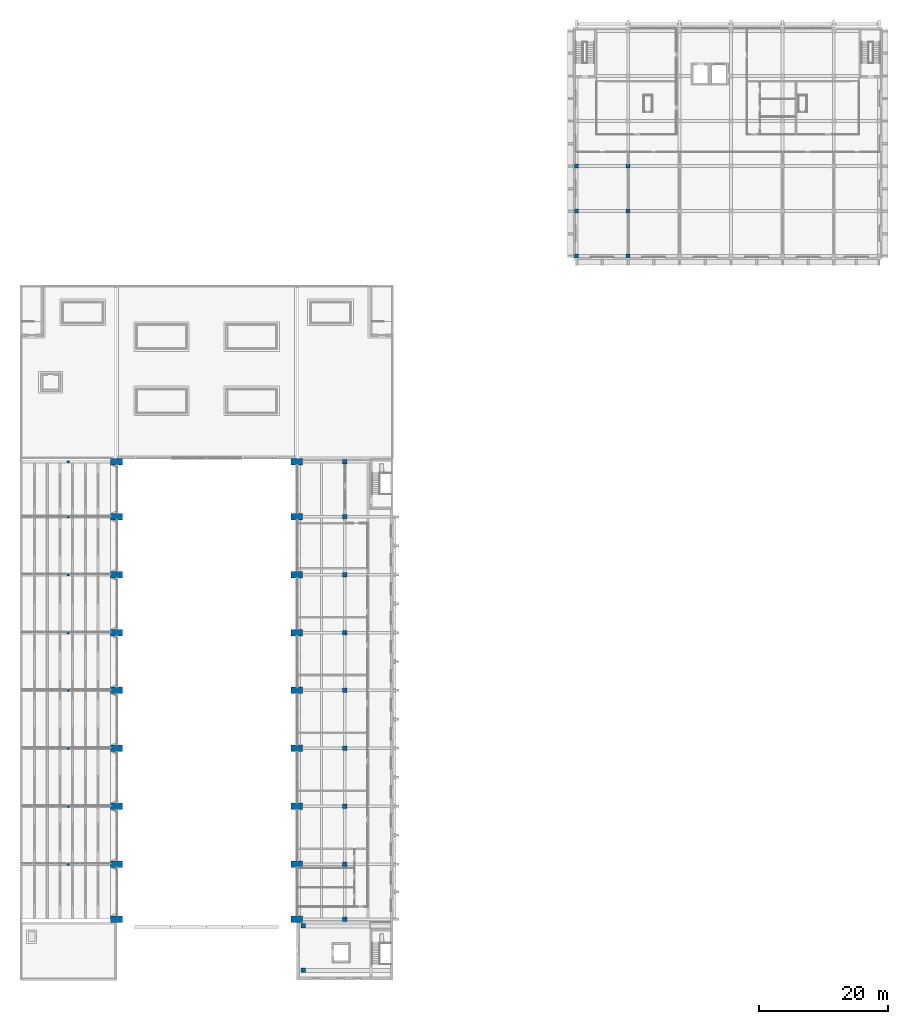
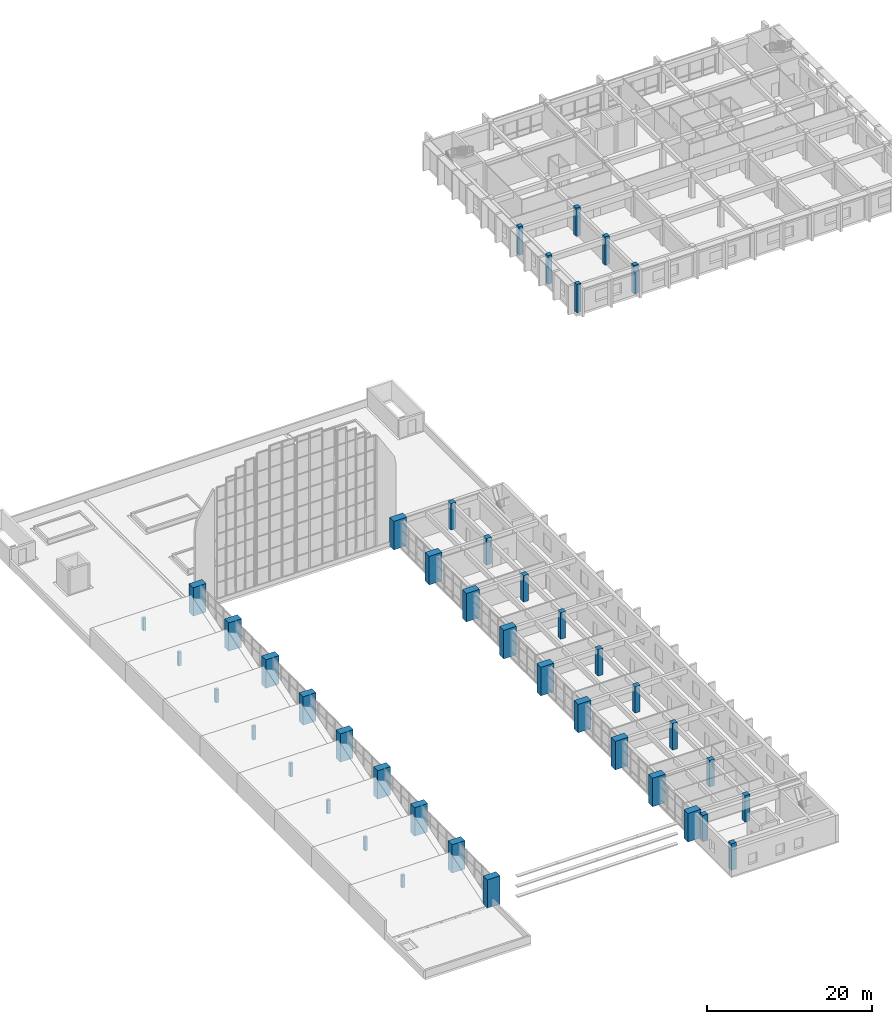
# One storey, part 1 of 43: 43 columns.
"""IFC4 building model written with IfcOpenShell, lengths in metres."""

from ifc_helpers import new_model, si_unit, direction, frame, origin, origin_2d, place, context, subcontext, project, spatial, rectangle, extrude, material, material_profile, profile_set, type_object, element, save


model = new_model("IFC4")

# Units and contexts
model_context = context("Model", 3, precision=1e-05, world=origin(), true_north=direction((0.0, 1.0)))
body_context = subcontext(model_context, "Body", "Model", "MODEL_VIEW")
ifc_project = project(units=[si_unit("LENGTHUNIT", "METRE"), si_unit("AREAUNIT", "SQUARE_METRE"), si_unit("VOLUMEUNIT", "CUBIC_METRE"), si_unit("PLANEANGLEUNIT", "RADIAN"), si_unit("MASSUNIT", "GRAM", prefix="KILO")], contexts=[model_context])

# Site, building, storey
site_placement = place(None, origin())
site = spatial("IfcSite", under=ifc_project, at=site_placement, CompositionType="ELEMENT")
building_placement = place(site_placement, origin())
building = spatial("IfcBuilding", under=site, at=building_placement, Name="Elmora Arch Market Hall", CompositionType="ELEMENT")
storey_placement = place(building_placement, frame((0.0, 0.0, 10.199951171875)))
storey = spatial("IfcBuildingStorey", under=building, at=storey_placement, Name="L02", CompositionType="ELEMENT", Elevation=10.199951171875)

# Columns
ifc_material_1 = material(Name="Concrete C40/50", Category="concrete")
ifc_material_profile_1 = material_profile(ifc_material_1, rectangle(XDim=0.699951171875, YDim=0.699951171875, at=origin_2d()), Name="Corner block column 700x700")
ifc_profile_set_1 = profile_set([ifc_material_profile_1], Name="Concrete C40/50")
column_type_1 = type_object("IfcColumnType", Name="Corner block column 700x700", PredefinedType="COLUMN", material=ifc_profile_set_1)
for number, where, z_axis, x_axis, name in (
    (1, (44.0, 19.5, 0.0), (0.0, 0.0, 1.0), (1.0, 0.0, 0.0), "Corner block column SE2 L02"),
    (2, (44.0, 26.39990234375, 0.0), (0.0, 0.0, 1.0), (1.0, 0.0, 0.0), "Corner block column SE4 L02"),
):
    element("IfcColumn", number, at=place(storey_placement, frame(where, z_axis=z_axis, x_axis=x_axis)), inside=storey, type_object=column_type_1, Name=name, PredefinedType="COLUMN", context=body_context, shape_type="SweptSolid", body=[
        extrude(rectangle(XDim=0.699951171875, YDim=0.699951171875, at=origin_2d()), origin(), (0.0, 0.0, 1.0), 3.900146484375),
    ])
ifc_material_2 = material(Name="Concrete C40/50", Category="concrete")
ifc_material_profile_2 = material_profile(ifc_material_2, rectangle(XDim=1.800048828125, YDim=1.0, at=origin_2d()), Name="Hall pier")
ifc_profile_set_2 = profile_set([ifc_material_profile_2], Name="Concrete C40/50")
column_type_2 = type_object("IfcColumnType", Name="Hall pier", PredefinedType="COLUMN", material=ifc_profile_set_2)
for number, where, z_axis, x_axis, name in (
    (3, (15.0, 27.449951171875, 0.0), (0.0, 0.0, 1.0), (1.0, 0.0, 0.0), "Hall pier 01W L02"),
    (4, (43.0, 27.449951171875, 0.0), (0.0, 0.0, 1.0), (1.0, 0.0, 0.0), "Hall pier 01E L02"),
    (5, (15.0, 36.0, 0.0), (0.0, 0.0, 1.0), (1.0, 0.0, 0.0), "Hall pier 02W L02"),
    (6, (43.0, 36.0, 0.0), (0.0, 0.0, 1.0), (1.0, 0.0, 0.0), "Hall pier 02E L02"),
    (7, (15.0, 45.0, 0.0), (0.0, 0.0, 1.0), (1.0, 0.0, 0.0), "Hall pier 03W L02"),
    (8, (43.0, 45.0, 0.0), (0.0, 0.0, 1.0), (1.0, 0.0, 0.0), "Hall pier 03E L02"),
    (9, (15.0, 54.0, 0.0), (0.0, 0.0, 1.0), (1.0, 0.0, 0.0), "Hall pier 04W L02"),
    (10, (43.0, 54.0, 0.0), (0.0, 0.0, 1.0), (1.0, 0.0, 0.0), "Hall pier 04E L02"),
    (11, (15.0, 63.0, 0.0), (0.0, 0.0, 1.0), (1.0, 0.0, 0.0), "Hall pier 05W L02"),
    (12, (43.0, 63.0, 0.0), (0.0, 0.0, 1.0), (1.0, 0.0, 0.0), "Hall pier 05E L02"),
    (13, (15.0, 72.0, 0.0), (0.0, 0.0, 1.0), (1.0, 0.0, 0.0), "Hall pier 06W L02"),
    (14, (43.0, 72.0, 0.0), (0.0, 0.0, 1.0), (1.0, 0.0, 0.0), "Hall pier 06E L02"),
    (15, (15.0, 81.0, 0.0), (0.0, 0.0, 1.0), (1.0, 0.0, 0.0), "Hall pier 07W L02"),
    (16, (43.0, 81.0, 0.0), (0.0, 0.0, 1.0), (1.0, 0.0, 0.0), "Hall pier 07E L02"),
    (17, (15.0, 90.0, 0.0), (0.0, 0.0, 1.0), (1.0, 0.0, 0.0), "Hall pier 08W L02"),
    (18, (43.0, 90.0, 0.0), (0.0, 0.0, 1.0), (1.0, 0.0, 0.0), "Hall pier 08E L02"),
    (19, (15.0, 98.550048828125, 0.0), (0.0, 0.0, 1.0), (1.0, 0.0, 0.0), "Hall pier 09W L02"),
    (20, (43.0, 98.550048828125, 0.0), (0.0, 0.0, 1.0), (1.0, 0.0, 0.0), "Hall pier 09E L02"),
):
    element("IfcColumn", number, at=place(storey_placement, frame(where, z_axis=z_axis, x_axis=x_axis)), inside=storey, type_object=column_type_2, Name=name, PredefinedType="COLUMN", context=body_context, shape_type="SweptSolid", body=[
        extrude(rectangle(XDim=1.800048828125, YDim=1.0, at=origin_2d()), origin(), (0.0, 0.0, 1.0), 4.199951171875),
    ])
ifc_material_3 = material(Name="Concrete C40/50", Category="concrete")
ifc_material_profile_3 = material_profile(ifc_material_3, rectangle(XDim=0.39990234375, YDim=0.39990234375, at=origin_2d()), Name="Sawtooth post 400x400")
ifc_profile_set_3 = profile_set([ifc_material_profile_3], Name="Concrete C40/50")
column_type_3 = type_object("IfcColumnType", Name="Sawtooth post 400x400", PredefinedType="COLUMN", material=ifc_profile_set_3)
column_1_placement = place(storey_placement, frame((7.5, 36.0, 0.0), z_axis=(0.0, 0.0, 1.0), x_axis=(1.0, 0.0, 0.0)))
element("IfcColumn", 21, at=column_1_placement, inside=storey, type_object=column_type_3, Name="Sawtooth post SP1 L02", PredefinedType="COLUMN", context=body_context, shape_type="SweptSolid", body=[
    extrude(rectangle(XDim=0.39990234375, YDim=0.39990234375, at=origin_2d()), origin(), (0.0, 0.0, 1.0), 1.85009765625),
])
for number, where, z_axis, x_axis, name in (
    (22, (7.5, 45.0, 0.0), (0.0, 0.0, 1.0), (1.0, 0.0, 0.0), "Sawtooth post SP2 L02"),
    (23, (7.5, 54.0, 0.0), (0.0, 0.0, 1.0), (1.0, 0.0, 0.0), "Sawtooth post SP3 L02"),
    (24, (7.5, 63.0, 0.0), (0.0, 0.0, 1.0), (1.0, 0.0, 0.0), "Sawtooth post SP4 L02"),
    (25, (7.5, 72.0, 0.0), (0.0, 0.0, 1.0), (1.0, 0.0, 0.0), "Sawtooth post SP5 L02"),
    (26, (7.5, 81.0, 0.0), (0.0, 0.0, 1.0), (1.0, 0.0, 0.0), "Sawtooth post SP6 L02"),
    (27, (7.5, 90.0, 0.0), (0.0, 0.0, 1.0), (1.0, 0.0, 0.0), "Sawtooth post SP7 L02"),
):
    element("IfcColumn", number, at=place(storey_placement, frame(where, z_axis=z_axis, x_axis=x_axis)), inside=storey, type_object=column_type_3, Name=name, PredefinedType="COLUMN", context=body_context, shape_type="SweptSolid", body=[
        extrude(rectangle(XDim=0.39990234375, YDim=0.39990234375, at=origin_2d()), origin(), (0.0, 0.0, 1.0), 2.0),
    ])
column_2_placement = place(storey_placement, frame((7.5, 98.550048828125, 0.0), z_axis=(0.0, 0.0, 1.0), x_axis=(1.0, 0.0, 0.0)))
element("IfcColumn", 28, at=column_2_placement, inside=storey, type_object=column_type_3, Name="Sawtooth post SP8 L02", PredefinedType="COLUMN", context=body_context, shape_type="SweptSolid", body=[
    extrude(rectangle(XDim=0.39990234375, YDim=0.39990234375, at=origin_2d()), origin(), (0.0, 0.0, 1.0), 1.85009765625),
])
ifc_material_4 = material(Name="Concrete C40/50", Category="concrete")
ifc_material_profile_4 = material_profile(ifc_material_4, rectangle(XDim=0.60009765625, YDim=0.60009765625, at=origin_2d()), Name="School column 600x600")
ifc_profile_set_4 = profile_set([ifc_material_profile_4], Name="Concrete C40/50")
column_type_4 = type_object("IfcColumnType", Name="School column 600x600", PredefinedType="COLUMN", material=ifc_profile_set_4)
for number, where, z_axis, x_axis, name in (
    (29, (86.5, 130.5, 0.0), (0.0, 0.0, 1.0), (1.0, 0.0, 0.0), "School column SC11 L02"),
    (30, (86.5, 137.5, 0.0), (0.0, 0.0, 1.0), (1.0, 0.0, 0.0), "School column SC12 L02"),
    (31, (86.5, 144.5, 0.0), (0.0, 0.0, 1.0), (1.0, 0.0, 0.0), "School column SC13 L02"),
    (32, (94.5, 130.5, 0.0), (0.0, 0.0, 1.0), (1.0, 0.0, 0.0), "School column SC21 L02"),
    (33, (94.5, 137.5, 0.0), (0.0, 0.0, 1.0), (1.0, 0.0, 0.0), "School column SC22 L02"),
    (34, (94.5, 144.5, 0.0), (0.0, 0.0, 1.0), (1.0, 0.0, 0.0), "School column SC23 L02"),
):
    element("IfcColumn", number, at=place(storey_placement, frame(where, z_axis=z_axis, x_axis=x_axis)), inside=storey, type_object=column_type_4, Name=name, PredefinedType="COLUMN", context=body_context, shape_type="SweptSolid", body=[
        extrude(rectangle(XDim=0.60009765625, YDim=0.60009765625, at=origin_2d()), origin(), (0.0, 0.0, 1.0), 4.199951171875),
    ])
ifc_material_5 = material(Name="Concrete C40/50", Category="concrete")
ifc_material_profile_5 = material_profile(ifc_material_5, rectangle(XDim=0.699951171875, YDim=0.699951171875, at=origin_2d()), Name="Wing column 700x700")
ifc_profile_set_5 = profile_set([ifc_material_profile_5], Name="Concrete C40/50")
column_type_5 = type_object("IfcColumnType", Name="Wing column 700x700", PredefinedType="COLUMN", material=ifc_profile_set_5)
for number, where, z_axis, x_axis, name in (
    (35, (50.5, 27.449951171875, 0.0), (0.0, 0.0, 1.0), (1.0, 0.0, 0.0), "Wing column E1 L02"),
    (36, (50.5, 36.0, 0.0), (0.0, 0.0, 1.0), (1.0, 0.0, 0.0), "Wing column E2 L02"),
    (37, (50.5, 45.0, 0.0), (0.0, 0.0, 1.0), (1.0, 0.0, 0.0), "Wing column E3 L02"),
    (38, (50.5, 54.0, 0.0), (0.0, 0.0, 1.0), (1.0, 0.0, 0.0), "Wing column E4 L02"),
    (39, (50.5, 63.0, 0.0), (0.0, 0.0, 1.0), (1.0, 0.0, 0.0), "Wing column E5 L02"),
    (40, (50.5, 72.0, 0.0), (0.0, 0.0, 1.0), (1.0, 0.0, 0.0), "Wing column E6 L02"),
    (41, (50.5, 81.0, 0.0), (0.0, 0.0, 1.0), (1.0, 0.0, 0.0), "Wing column E7 L02"),
    (42, (50.5, 90.0, 0.0), (0.0, 0.0, 1.0), (1.0, 0.0, 0.0), "Wing column E8 L02"),
    (43, (50.5, 98.550048828125, 0.0), (0.0, 0.0, 1.0), (1.0, 0.0, 0.0), "Wing column E9 L02"),
):
    element("IfcColumn", number, at=place(storey_placement, frame(where, z_axis=z_axis, x_axis=x_axis)), inside=storey, type_object=column_type_5, Name=name, PredefinedType="COLUMN", context=body_context, shape_type="SweptSolid", body=[
        extrude(rectangle(XDim=0.699951171875, YDim=0.699951171875, at=origin_2d()), origin(), (0.0, 0.0, 1.0), 3.900146484375),
    ])

save(model, "model.ifc")
